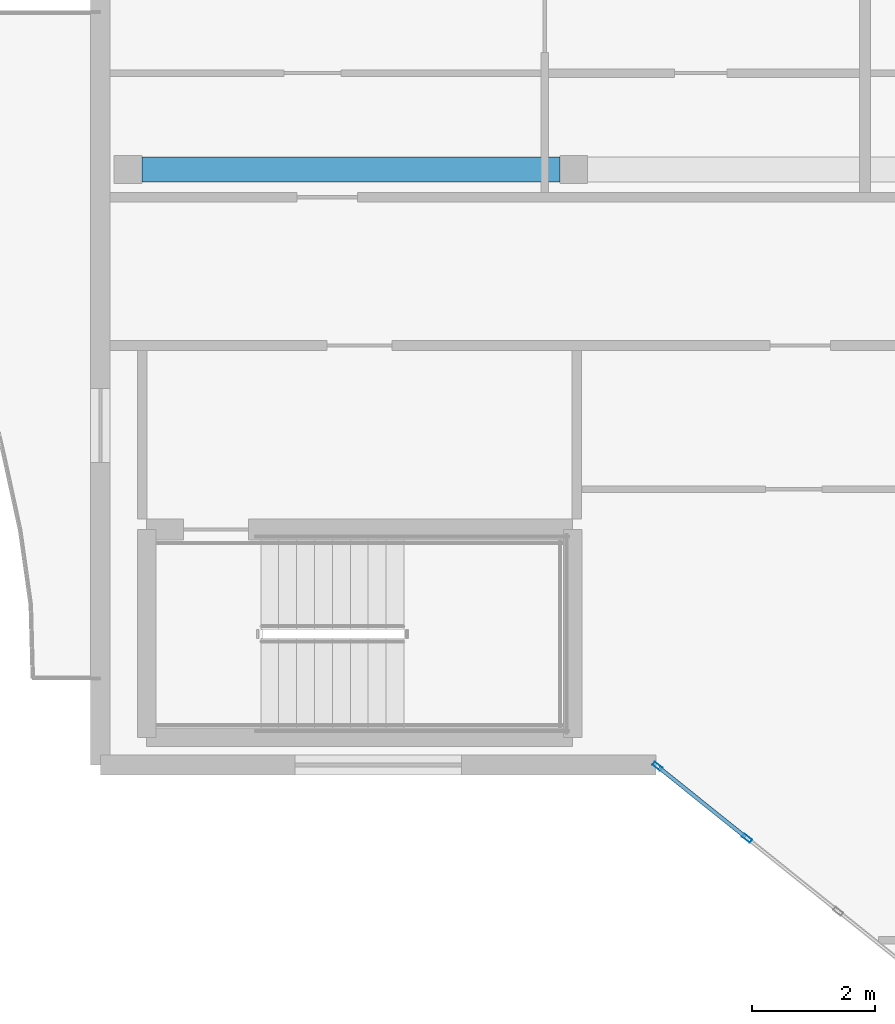
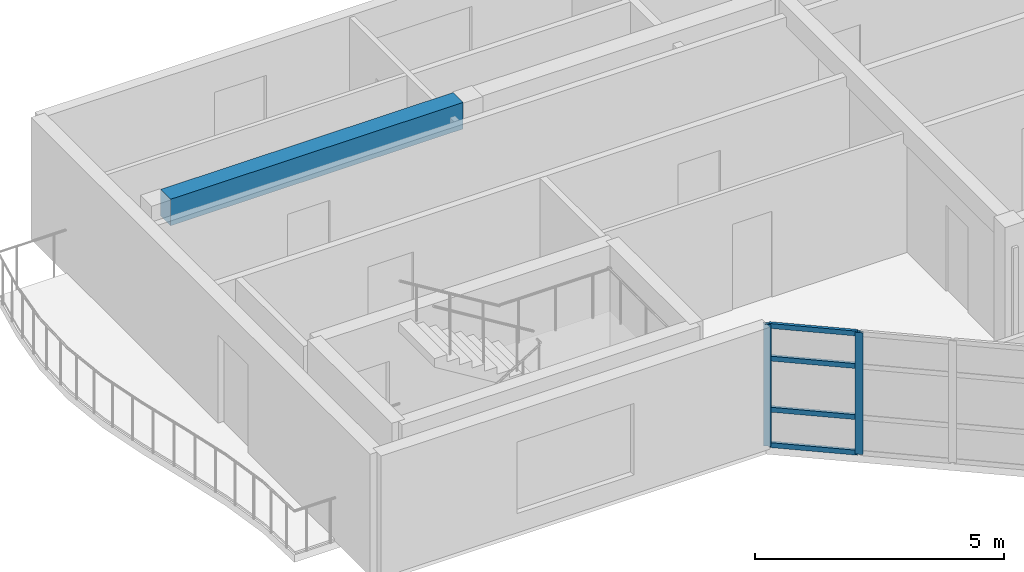
# One storey, part 3 of 18: 6 members, 1 beam, 1 element without a shape of its own.
"""IFC4 building model written with IfcOpenShell, lengths in metres."""

from ifc_helpers import new_model, si_unit, direction, frame, origin, origin_2d, place, context, subcontext, project, spatial, rectangle, hollow_rectangle, extrude, material, layer, layer_set, material_profile, profile_set, type_object, element, aggregate, save


model = new_model("IFC4")

# Units and contexts
model_context = context("Model", 3, precision=1e-05, world=origin(), true_north=direction((0.0, 1.0)))
body_context = subcontext(model_context, "Body", "Model", "MODEL_VIEW")
ifc_project = project(units=[si_unit("LENGTHUNIT", "METRE"), si_unit("AREAUNIT", "SQUARE_METRE"), si_unit("VOLUMEUNIT", "CUBIC_METRE"), si_unit("PLANEANGLEUNIT", "RADIAN"), si_unit("MASSUNIT", "GRAM", prefix="KILO")], contexts=[model_context])

# Site, building, storey
site_placement = place(None, origin())
site = spatial("IfcSite", under=ifc_project, at=site_placement, CompositionType="ELEMENT")
building_placement = place(site_placement, origin())
building = spatial("IfcBuilding", under=site, at=building_placement, Name="Keldmere Railside Commons", CompositionType="ELEMENT")
storey_placement = place(building_placement, frame((0.0, 0.0, 39.360107421875)))
storey = spatial("IfcBuildingStorey", under=building, at=storey_placement, Name="L12", CompositionType="ELEMENT", Elevation=39.360107421875)

# Beam
ifc_material_1 = material(Name="Concrete H-30 (C30/37)", Category="concrete")
ifc_material_profile_1 = material_profile(ifc_material_1, rectangle(XDim=0.39990234375, YDim=0.64990234375, at=origin_2d()), Name="RC-400x650")
ifc_profile_set_1 = profile_set([ifc_material_profile_1], Name="Concrete H-30 (C30/37)")
beam_type = type_object("IfcBeamType", Name="Residential Spine RC Girder 400x650", PredefinedType="BEAM", material=ifc_profile_set_1)
beam_placement = place(storey_placement, frame((147.675048828125, 109.64990234375, 2.875), z_axis=(1.0, 0.0, 0.0), x_axis=(0.0, 1.0, 0.0)))
element("IfcBeam", 1, at=beam_placement, inside=storey, type_object=beam_type, Name="BG-3 BM-L12-2495", PredefinedType="BEAM", context=body_context, shape_type="SweptSolid", body=[
    extrude(rectangle(XDim=0.39990234375, YDim=0.64990234375, at=origin_2d()), origin(), (0.0, 0.0, 1.0), 6.77001953125),
])

# Curtain wall, members
ifc_material_2 = material(Name="Thermally Broken Aluminium", Category="aluminium")
ifc_layer = layer(ifc_material_2, 0.159912109375, Name="Court Chord Wintergarden CW 5400x2850")
ifc_layer_set = layer_set([ifc_layer], Name="Thermally Broken Aluminium")
curtain_wall_type = type_object("IfcCurtainWallType", Name="Court Chord Wintergarden CW 5400x2850", PredefinedType="NOTDEFINED", material=ifc_layer_set)
curtain_wall_placement = place(storey_placement, origin())
curtain_wall = element("IfcCurtainWall", 2, at=curtain_wall_placement, inside=storey, type_object=curtain_wall_type, Name="CW-13 CW-L12-193", PredefinedType="NOTDEFINED")
ifc_material_profile_2 = material_profile(ifc_material_2, hollow_rectangle(XDim=0.06494140625, YDim=0.159912109375, WallThickness=0.00390625, at=origin_2d()), Name="ALU-MULL-65x160")
ifc_profile_set_2 = profile_set([ifc_material_profile_2], Name="Thermally Broken Aluminium")
member_type_1 = type_object("IfcMemberType", Name="Unitised Curtain Wall Mullion 65x160", PredefinedType="MULLION", material=ifc_profile_set_2)
member_1_placement = place(storey_placement, frame((157.4765625, 98.8154296875, 0.0), z_axis=(0.0, 0.0, 1.0), x_axis=(-0.625768080915, -0.780009172323, 0.0)))
member_1 = element("IfcMember", 3, at=member_1_placement, type_object=member_type_1, Name="CW-13 mullion 3", PredefinedType="MULLION", context=body_context, shape_type="SweptSolid", body=[
    extrude(hollow_rectangle(XDim=0.06494140625, YDim=0.159912109375, WallThickness=0.00390625, at=origin_2d()), origin(), (0.0, 0.0, 1.0), 2.97998046875),
])
member_2_placement = place(storey_placement, frame((156.025390625, 99.979736328125, 0.0), z_axis=(0.0, 0.0, 1.0), x_axis=(-0.625768080915, -0.780009172323, 0.0)))
member_2 = element("IfcMember", 4, at=member_2_placement, type_object=member_type_1, Name="CW-13 mullion 4", PredefinedType="MULLION", context=body_context, shape_type="SweptSolid", body=[
    extrude(hollow_rectangle(XDim=0.06494140625, YDim=0.159912109375, WallThickness=0.00390625, at=origin_2d()), origin(), (0.0, 0.0, 1.0), 2.97998046875),
])
ifc_material_profile_3 = material_profile(ifc_material_2, hollow_rectangle(XDim=0.06494140625, YDim=0.1201171875, WallThickness=0.00390625, at=origin_2d()), Name="ALU-TRAN-65x120")
ifc_profile_set_3 = profile_set([ifc_material_profile_3], Name="Thermally Broken Aluminium")
member_type_2 = type_object("IfcMemberType", Name="Unitised Curtain Wall Transom 65x120", PredefinedType="USERDEFINED", material=ifc_profile_set_3)
member_3_placement = place(storey_placement, frame((157.451416015625, 98.835693359375, 0.032470703125), z_axis=(-0.780045694992, 0.625722553313, 0.0), x_axis=(-0.625722553313, -0.780045694992, 0.0)))
member_3 = element("IfcMember", 5, at=member_3_placement, type_object=member_type_2, Name="CW-13 transom 3.1", ObjectType="TRANSOM", PredefinedType="USERDEFINED", context=body_context, shape_type="SweptSolid", body=[
    extrude(hollow_rectangle(XDim=0.06494140625, YDim=0.1201171875, WallThickness=0.00390625, at=origin_2d()), origin(), (0.0, 0.0, 1.0), 1.795654296875),
])
member_4_placement = place(storey_placement, frame((157.451416015625, 98.835693359375, 0.89990234375), z_axis=(-0.780045694992, 0.625722553313, 0.0), x_axis=(-0.625722553313, -0.780045694992, 0.0)))
member_4 = element("IfcMember", 6, at=member_4_placement, type_object=member_type_2, Name="CW-13 transom 3.2", ObjectType="TRANSOM", PredefinedType="USERDEFINED", context=body_context, shape_type="SweptSolid", body=[
    extrude(hollow_rectangle(XDim=0.06494140625, YDim=0.1201171875, WallThickness=0.00390625, at=origin_2d()), origin(), (0.0, 0.0, 1.0), 1.795654296875),
])
member_5_placement = place(storey_placement, frame((157.451416015625, 98.835693359375, 2.14990234375), z_axis=(-0.780045694992, 0.625722553313, 0.0), x_axis=(-0.625722553313, -0.780045694992, 0.0)))
member_5 = element("IfcMember", 7, at=member_5_placement, type_object=member_type_2, Name="CW-13 transom 3.3", ObjectType="TRANSOM", PredefinedType="USERDEFINED", context=body_context, shape_type="SweptSolid", body=[
    extrude(hollow_rectangle(XDim=0.06494140625, YDim=0.1201171875, WallThickness=0.00390625, at=origin_2d()), origin(), (0.0, 0.0, 1.0), 1.795654296875),
])
member_6_placement = place(storey_placement, frame((157.451416015625, 98.835693359375, 2.947509765625), z_axis=(-0.780045694992, 0.625722553313, 0.0), x_axis=(-0.625722553313, -0.780045694992, 0.0)))
member_6 = element("IfcMember", 8, at=member_6_placement, type_object=member_type_2, Name="CW-13 transom 3.4", ObjectType="TRANSOM", PredefinedType="USERDEFINED", context=body_context, shape_type="SweptSolid", body=[
    extrude(hollow_rectangle(XDim=0.06494140625, YDim=0.1201171875, WallThickness=0.00390625, at=origin_2d()), origin(), (0.0, 0.0, 1.0), 1.795654296875),
])
aggregate(curtain_wall, [member_1, member_2, member_3, member_4, member_5, member_6])

save(model, "model.ifc")
